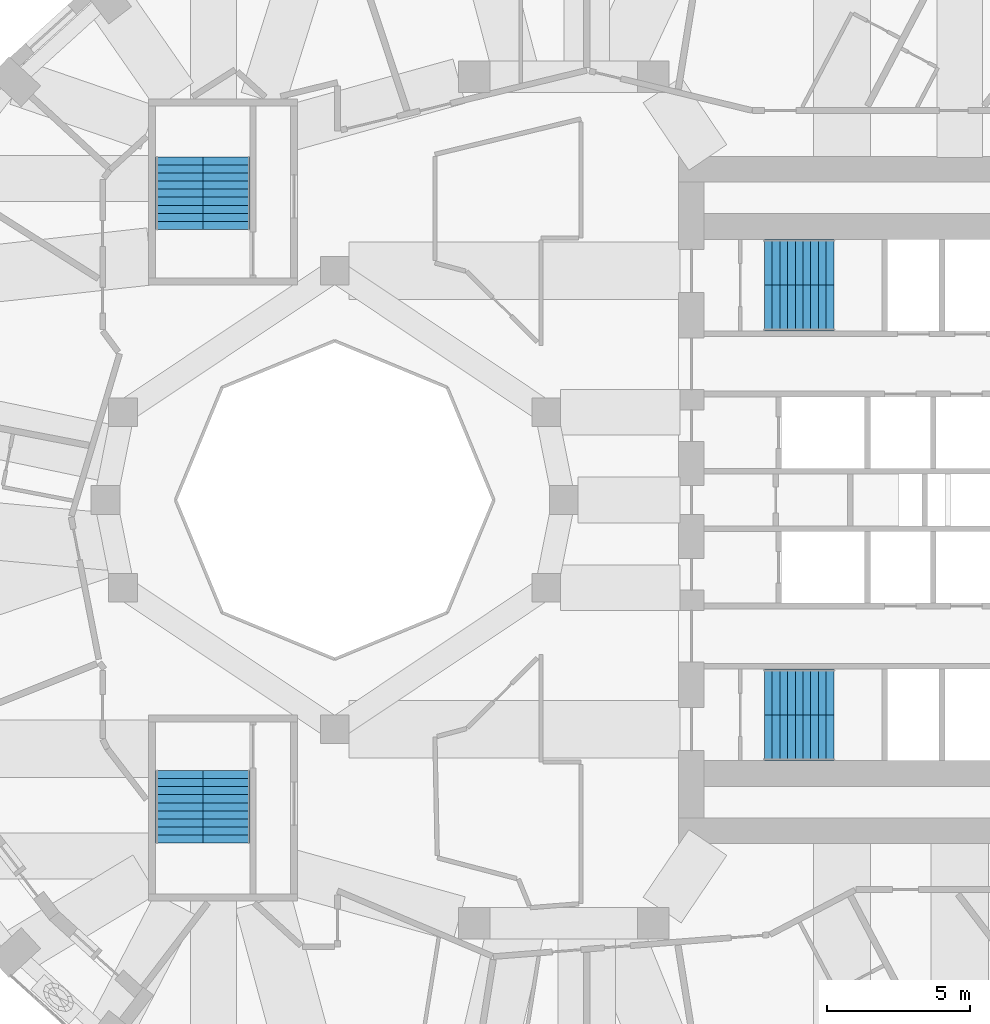
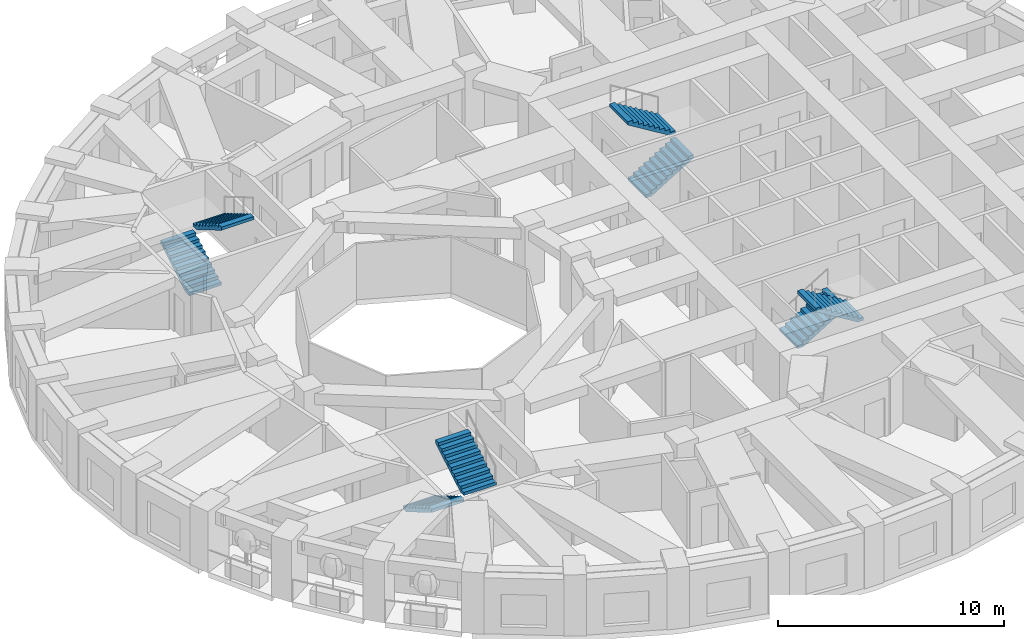
# One storey, part 9 of 12: 8 stair flights, 4 elements without a shape of their own.
"""IFC4 building model written with IfcOpenShell, lengths in metres."""

import ifcopenshell
import ifcopenshell.guid

model = None  # the IFC model being written
_history = None  # IfcOwnerHistory: only IFC2X3 demands one
_inside = {}  # id of a spatial element -> (the spatial element, [elements in it])
_under = {}  # id of a project, library or spatial element -> (it, [spatial elements below it])
_declared = {}  # id of a project -> (the project, [libraries it declares])
_typed = {}  # id of a type object -> (the type object, [elements of that type])
_made_of = {}  # id of a material, layer set ... -> (it, [elements and type objects made of it])


def new_model(schema):
    """Start an empty IFC model of exactly this schema.

    Asked for "IFC4X3", IfcOpenShell would pick the latest addendum, in which some entities
    have other attributes; the version numbers below select the first issue.
    IFC2X3 requires an IfcOwnerHistory on every rooted entity: one is made here for all.
    """
    global model, _history
    if schema == "IFC4X3":
        model = ifcopenshell.file(schema_version=(4, 3, 0, 0))
    else:
        model = ifcopenshell.file(schema=schema)
    _inside.clear()
    _under.clear()
    _declared.clear()
    _typed.clear()
    _made_of.clear()
    _history = None
    if model.schema == "IFC2X3":
        org = make("IfcOrganization", Name="unknown")
        user = make(
            "IfcPersonAndOrganization",
            ThePerson=make("IfcPerson", FamilyName="unknown"),
            TheOrganization=org,
        )
        app = make(
            "IfcApplication",
            ApplicationDeveloper=org,
            Version="unknown",
            ApplicationFullName="unknown",
            ApplicationIdentifier="unknown",
        )
        _history = make(
            "IfcOwnerHistory",
            OwningUser=user,
            OwningApplication=app,
            ChangeAction="ADDED",
            CreationDate=0,
        )
    return model


def make(cls, **values):
    """One entity of the class cls with the attributes given. An attribute that is None is left unset."""
    return model.create_entity(
        cls, **{name: value for name, value in values.items() if value is not None}
    )


def rooted(cls, **values):
    """An entity with a GlobalId (a new one), such as an element, a storey or a relation."""
    return make(cls, GlobalId=ifcopenshell.guid.new(), OwnerHistory=_history, **values)


def si_unit(unit_type, name, prefix=None):
    """IfcSIUnit, for example si_unit("LENGTHUNIT", "METRE", prefix="MILLI")."""
    return make("IfcSIUnit", UnitType=unit_type, Prefix=prefix, Name=name)


def assignment(units):
    """IfcUnitAssignment: the units of a project."""
    return None if units is None else make("IfcUnitAssignment", Units=units)


def point(xyz):
    """IfcCartesianPoint."""
    return None if xyz is None else make("IfcCartesianPoint", Coordinates=xyz)


def direction(xyz):
    """IfcDirection."""
    return None if xyz is None else make("IfcDirection", DirectionRatios=xyz)


def frame(location, z_axis=None, x_axis=None):
    """IfcAxis2Placement3D, a coordinate frame: its origin and axes. An axis left out is left unset."""
    return make(
        "IfcAxis2Placement3D",
        Location=point(location),
        Axis=direction(z_axis),
        RefDirection=direction(x_axis),
    )


def origin():
    """The frame at (0, 0, 0) with its axes left unset."""
    return frame((0.0, 0.0, 0.0))


def place(relative_to, where):
    """IfcLocalPlacement: puts the frame where relative to a parent placement (None: the world)."""
    return make(
        "IfcLocalPlacement", PlacementRelTo=relative_to, RelativePlacement=where
    )


def context(
    kind, dimensions, precision=None, world=None, true_north=None, identifier=None
):
    """IfcGeometricRepresentationContext, for example the 3D "Model" context."""
    return make(
        "IfcGeometricRepresentationContext",
        ContextIdentifier=identifier,
        ContextType=kind,
        CoordinateSpaceDimension=dimensions,
        Precision=precision,
        WorldCoordinateSystem=world,
        TrueNorth=true_north,
    )


def subcontext(parent, identifier, kind, view, scale=None):
    """IfcGeometricRepresentationSubContext, for example "Body" below "Model"."""
    return make(
        "IfcGeometricRepresentationSubContext",
        ContextIdentifier=identifier,
        ContextType=kind,
        ParentContext=parent,
        TargetScale=scale,
        TargetView=view,
    )


def project(units=None, contexts=None):
    """IfcProject with its units and contexts."""
    return rooted(
        "IfcProject",
        Name="project",
        RepresentationContexts=contexts,
        UnitsInContext=assignment(units),
    )


def spatial(cls, under=None, at=None, **own):
    """A site, building, storey or space (cls), placed at a placement, below another one or the project."""
    s = rooted(cls, ObjectPlacement=at, **own)
    if under is not None:
        _under.setdefault(under.id(), (under, []))[1].append(s)
    return s


def polyline(points):
    """IfcPolyline through the points."""
    return make("IfcPolyline", Points=[point(p) for p in points])


def outline(outer, holes=None, kind="AREA"):
    """IfcArbitraryClosedProfileDef: a profile drawn as a closed curve; with holes, ...WithVoids."""
    if holes is None:
        return make("IfcArbitraryClosedProfileDef", ProfileType=kind, OuterCurve=outer)
    return make(
        "IfcArbitraryProfileDefWithVoids",
        ProfileType=kind,
        OuterCurve=outer,
        InnerCurves=holes,
    )


def extrude(swept, where, along, depth):
    """IfcExtrudedAreaSolid: the profile swept, set in the frame where, extruded along a direction by depth."""
    return make(
        "IfcExtrudedAreaSolid",
        SweptArea=swept,
        Position=where,
        ExtrudedDirection=direction(along),
        Depth=depth,
    )


def shape(context_of_items, identifier, shape_type, items):
    """IfcShapeRepresentation: the items that make up one representation, for example the "Body"."""
    return make(
        "IfcShapeRepresentation",
        ContextOfItems=context_of_items,
        RepresentationIdentifier=identifier,
        RepresentationType=shape_type,
        Items=items,
    )


def material(Name=None, Category=None):
    """IfcMaterial."""
    return make("IfcMaterial", Name=Name, Category=Category)


def made_of(thing, what):
    """Note that an element or type object is made of a material, layer set ...; save() writes the relation."""
    if what is not None:
        _made_of.setdefault(what.id(), (what, []))[1].append(thing)
    return thing


def type_object(cls, material=None, **own):
    """A type object (cls), such as IfcWallType, which elements share."""
    return made_of(rooted(cls, **own), material)


def element(
    cls,
    number,
    at=None,
    inside=None,
    cuts=None,
    type_object=None,
    material=None,
    context=None,
    identifier="Body",
    shape_type=None,
    held_by="IfcProductDefinitionShape",
    body=None,
    shapes=None,
    **own,
):
    """One element of the class cls, such as IfcWall. Its Tag is "e" and its number.

    at: its placement. inside: the storey or other place that contains it. cuts: it is an
    opening in that element (IfcRelVoidsElement). A single representation is given by context,
    identifier, shape_type and body (its items); several are given by shapes. held_by: the class
    of the entity that holds the representations. save() writes the other relations.
    """
    e = rooted(cls, Tag="e%d" % number, ObjectPlacement=at, **own)
    if body is not None:
        shapes = [shape(context, identifier, shape_type, body)]
    if shapes is not None:
        e.Representation = make(held_by, Representations=shapes)
    if inside is not None:
        _inside.setdefault(inside.id(), (inside, []))[1].append(e)
    if cuts is not None:
        rooted(
            "IfcRelVoidsElement", RelatingBuildingElement=cuts, RelatedOpeningElement=e
        )
    if type_object is not None:
        _typed.setdefault(type_object.id(), (type_object, []))[1].append(e)
    return made_of(e, material)


def aggregate(whole, parts):
    """IfcRelAggregates: a whole, such as a stair, and the parts it consists of."""
    return rooted("IfcRelAggregates", RelatingObject=whole, RelatedObjects=parts)


def save(model, path):
    """Write the relations noted so far, then the file.

    IfcRelAggregates (storeys below a building ...), IfcRelContainedInSpatialStructure (elements
    in a storey), IfcRelDefinesByType, IfcRelAssociatesMaterial and IfcRelDeclares: one each for
    every whole, place, type object, material and project.
    """
    for whole, parts in _under.values():
        aggregate(whole, parts)
    for where, things in _inside.values():
        rooted(
            "IfcRelContainedInSpatialStructure",
            RelatedElements=things,
            RelatingStructure=where,
        )
    for kind, things in _typed.values():
        rooted("IfcRelDefinesByType", RelatedObjects=things, RelatingType=kind)
    for what, things in _made_of.values():
        rooted("IfcRelAssociatesMaterial", RelatedObjects=things, RelatingMaterial=what)
    for by, libraries in _declared.values():
        rooted("IfcRelDeclares", RelatingContext=by, RelatedDefinitions=libraries)
    model.write(path)


model = new_model("IFC4")

# Units and contexts
model_context = context("Model", 3, precision=1e-05, world=origin(), true_north=direction((0.0, 1.0)))
body_context = subcontext(model_context, "Body", "Model", "MODEL_VIEW")
ifc_project = project(units=[si_unit("LENGTHUNIT", "METRE"), si_unit("AREAUNIT", "SQUARE_METRE"), si_unit("VOLUMEUNIT", "CUBIC_METRE"), si_unit("PLANEANGLEUNIT", "RADIAN"), si_unit("MASSUNIT", "GRAM", prefix="KILO")], contexts=[model_context])

# Site, building, storey
site_placement = place(None, origin())
site = spatial("IfcSite", under=ifc_project, at=site_placement, CompositionType="ELEMENT")
building_placement = place(site_placement, origin())
building = spatial("IfcBuilding", under=site, at=building_placement, Name="Taillehof Tower", CompositionType="ELEMENT")
storey_placement = place(building_placement, frame((0.0, 0.0, 88.89990234375)))
storey = spatial("IfcBuildingStorey", under=building, at=storey_placement, Name="L24", CompositionType="ELEMENT", Elevation=88.89990234375)

# Stair, stair flights
ifc_material_1 = material(Name="Concrete C40/50", Category="concrete")
stair_type = type_object("IfcStairType", Name="Exit stair half-turn", PredefinedType="HALF_TURN_STAIR", material=ifc_material_1)
stair_1_placement = place(storey_placement, origin())
stair_1 = element("IfcStair", 1, at=stair_1_placement, inside=storey, type_object=stair_type, Name="Exit stair S1", PredefinedType="HALF_TURN_STAIR")
ifc_material_2 = material(Name="Concrete C40/50", Category="concrete")
stair_flight_type_1 = type_object("IfcStairFlightType", Name="Stair flight 1600 riser 165.0 going 270", PredefinedType="STRAIGHT", material=ifc_material_2)
stair_flight_1_placement = place(storey_placement, frame((7.0, 6.699951171875, 0.0), z_axis=(0.0, 0.0, 1.0), x_axis=(1.0, 0.0, 0.0)))
stair_flight_1 = element("IfcStairFlight", 2, at=stair_flight_1_placement, type_object=stair_flight_type_1, Name="S1 flight 1", NumberOfRisers=10, NumberOfTreads=9, PredefinedType="STRAIGHT", RiserHeight=0.165, TreadLength=0.27, context=body_context, shape_type="SweptSolid", body=[
    extrude(outline(polyline([(0.0, 0.0), (0.0, 0.00537109375), (0.0, 0.0107421875), (0.0, 0.015869140625), (0.0, 0.021240234375), (0.0, 0.026611328125), (0.0, 0.031982421875), (0.0, 0.037353515625), (0.0, 0.04248046875), (0.0, 0.0478515625), (0.0, 0.05322265625), (0.0, 0.05859375), (0.0, 0.06396484375), (0.0, 0.069091796875), (0.0, 0.074462890625), (0.0, 0.079833984375), (0.0, 0.085205078125), (0.0, 0.090576171875), (0.0, 0.095703125), (0.0, 0.10107421875), (0.0, 0.1064453125), (0.0, 0.11181640625), (0.0, 0.1171875), (0.0, 0.122314453125), (0.0, 0.127685546875), (0.0, 0.133056640625), (0.0, 0.138427734375), (0.0, 0.143798828125), (0.0, 0.14892578125), (0.0, 0.154296875), (0.0, 0.15966796875), (0.0, 0.1650390625), (0.27001953125, 0.1650390625), (0.27001953125, 0.330078125), (0.5400390625, 0.330078125), (0.5400390625, 0.4951171875), (0.81005859375, 0.4951171875), (0.81005859375, 0.659912109375), (1.080078125, 0.659912109375), (1.080078125, 0.824951171875), (1.35009765625, 0.824951171875), (1.35009765625, 0.989990234375), (1.6201171875, 0.989990234375), (1.6201171875, 1.155029296875), (1.889892578125, 1.155029296875), (1.889892578125, 1.320068359375), (2.159912109375, 1.320068359375), (2.159912109375, 1.485107421875), (2.429931640625, 1.485107421875), (2.429931640625, 1.479248046875), (2.429931640625, 1.4736328125), (2.429931640625, 1.468017578125), (2.429931640625, 1.46240234375), (2.429931640625, 1.45654296875), (2.429931640625, 1.450927734375), (2.429931640625, 1.4453125), (2.429931640625, 1.439697265625), (2.429931640625, 1.43408203125), (2.429931640625, 1.42822265625), (2.429931640625, 1.422607421875), (2.429931640625, 1.4169921875), (2.429931640625, 1.411376953125), (2.429931640625, 1.40576171875), (2.429931640625, 1.39990234375), (2.429931640625, 1.394287109375), (2.429931640625, 1.388671875), (2.429931640625, 1.383056640625), (2.429931640625, 1.37744140625), (2.429931640625, 1.37158203125), (2.429931640625, 1.365966796875), (2.429931640625, 1.3603515625), (2.429931640625, 1.354736328125), (2.429931640625, 1.348876953125), (2.429931640625, 1.34326171875), (2.429931640625, 1.337646484375), (2.429931640625, 1.33203125), (2.429931640625, 1.326416015625), (2.429931640625, 1.320556640625), (2.429931640625, 1.31494140625), (2.429931640625, 1.309326171875), (0.287353515625, 0.0), (0.0, 0.0)])), frame((0.0, 0.800048828125, 0.0), z_axis=(0.0, -1.0, 0.0), x_axis=(1.0, 0.0, 0.0)), (0.0, 0.0, 1.0), 1.6),
])
stair_flight_2_placement = place(storey_placement, frame((9.429931640625, 8.300048828125, 1.650146484375), z_axis=(0.0, 0.0, 1.0), x_axis=(-1.0, 0.0, 0.0)))
stair_flight_2 = element("IfcStairFlight", 3, at=stair_flight_2_placement, type_object=stair_flight_type_1, Name="S1 flight 2", NumberOfRisers=10, NumberOfTreads=9, PredefinedType="STRAIGHT", RiserHeight=0.165, TreadLength=0.27, context=body_context, shape_type="SweptSolid", body=[
    extrude(outline(polyline([(0.0, 0.0), (0.0, 0.00537109375), (0.0, 0.0107421875), (0.0, 0.015869140625), (0.0, 0.021240234375), (0.0, 0.026611328125), (0.0, 0.031982421875), (0.0, 0.037353515625), (0.0, 0.04248046875), (0.0, 0.0478515625), (0.0, 0.05322265625), (0.0, 0.05859375), (0.0, 0.06396484375), (0.0, 0.069091796875), (0.0, 0.074462890625), (0.0, 0.079833984375), (0.0, 0.085205078125), (0.0, 0.090576171875), (0.0, 0.095703125), (0.0, 0.10107421875), (0.0, 0.1064453125), (0.0, 0.11181640625), (0.0, 0.1171875), (0.0, 0.122314453125), (0.0, 0.127685546875), (0.0, 0.133056640625), (0.0, 0.138427734375), (0.0, 0.143798828125), (0.0, 0.14892578125), (0.0, 0.154296875), (0.0, 0.15966796875), (0.0, 0.1650390625), (0.27001953125, 0.1650390625), (0.27001953125, 0.330078125), (0.5400390625, 0.330078125), (0.5400390625, 0.4951171875), (0.81005859375, 0.4951171875), (0.81005859375, 0.659912109375), (1.080078125, 0.659912109375), (1.080078125, 0.824951171875), (1.35009765625, 0.824951171875), (1.35009765625, 0.989990234375), (1.6201171875, 0.989990234375), (1.6201171875, 1.155029296875), (1.889892578125, 1.155029296875), (1.889892578125, 1.320068359375), (2.159912109375, 1.320068359375), (2.159912109375, 1.485107421875), (2.429931640625, 1.485107421875), (2.429931640625, 1.479248046875), (2.429931640625, 1.4736328125), (2.429931640625, 1.468017578125), (2.429931640625, 1.46240234375), (2.429931640625, 1.45654296875), (2.429931640625, 1.450927734375), (2.429931640625, 1.4453125), (2.429931640625, 1.439697265625), (2.429931640625, 1.43408203125), (2.429931640625, 1.42822265625), (2.429931640625, 1.422607421875), (2.429931640625, 1.4169921875), (2.429931640625, 1.411376953125), (2.429931640625, 1.40576171875), (2.429931640625, 1.39990234375), (2.429931640625, 1.394287109375), (2.429931640625, 1.388671875), (2.429931640625, 1.383056640625), (2.429931640625, 1.37744140625), (2.429931640625, 1.37158203125), (2.429931640625, 1.365966796875), (2.429931640625, 1.3603515625), (2.429931640625, 1.354736328125), (2.429931640625, 1.348876953125), (2.429931640625, 1.34326171875), (2.429931640625, 1.337646484375), (2.429931640625, 1.33203125), (2.429931640625, 1.326416015625), (2.429931640625, 1.320556640625), (2.429931640625, 1.31494140625), (2.429931640625, 1.309326171875), (0.287353515625, 0.0), (0.0, 0.0)])), frame((0.0, 0.800048828125, 0.0), z_axis=(0.0, -1.0, 0.0), x_axis=(1.0, 0.0, 0.0)), (0.0, 0.0, 1.0), 1.6),
])
aggregate(stair_1, [stair_flight_1, stair_flight_2])

stair_2_placement = place(storey_placement, origin())
stair_2 = element("IfcStair", 4, at=stair_2_placement, inside=storey, type_object=stair_type, Name="Exit stair S2", PredefinedType="HALF_TURN_STAIR")
stair_flight_3_placement = place(storey_placement, frame((7.0, -6.699951171875, 0.0), z_axis=(0.0, 0.0, 1.0), x_axis=(1.0, 0.0, 0.0)))
stair_flight_3 = element("IfcStairFlight", 5, at=stair_flight_3_placement, type_object=stair_flight_type_1, Name="S2 flight 1", NumberOfRisers=10, NumberOfTreads=9, PredefinedType="STRAIGHT", RiserHeight=0.165, TreadLength=0.27, context=body_context, shape_type="SweptSolid", body=[
    extrude(outline(polyline([(0.0, 0.0), (0.0, 0.00537109375), (0.0, 0.0107421875), (0.0, 0.015869140625), (0.0, 0.021240234375), (0.0, 0.026611328125), (0.0, 0.031982421875), (0.0, 0.037353515625), (0.0, 0.04248046875), (0.0, 0.0478515625), (0.0, 0.05322265625), (0.0, 0.05859375), (0.0, 0.06396484375), (0.0, 0.069091796875), (0.0, 0.074462890625), (0.0, 0.079833984375), (0.0, 0.085205078125), (0.0, 0.090576171875), (0.0, 0.095703125), (0.0, 0.10107421875), (0.0, 0.1064453125), (0.0, 0.11181640625), (0.0, 0.1171875), (0.0, 0.122314453125), (0.0, 0.127685546875), (0.0, 0.133056640625), (0.0, 0.138427734375), (0.0, 0.143798828125), (0.0, 0.14892578125), (0.0, 0.154296875), (0.0, 0.15966796875), (0.0, 0.1650390625), (0.27001953125, 0.1650390625), (0.27001953125, 0.330078125), (0.5400390625, 0.330078125), (0.5400390625, 0.4951171875), (0.81005859375, 0.4951171875), (0.81005859375, 0.659912109375), (1.080078125, 0.659912109375), (1.080078125, 0.824951171875), (1.35009765625, 0.824951171875), (1.35009765625, 0.989990234375), (1.6201171875, 0.989990234375), (1.6201171875, 1.155029296875), (1.889892578125, 1.155029296875), (1.889892578125, 1.320068359375), (2.159912109375, 1.320068359375), (2.159912109375, 1.485107421875), (2.429931640625, 1.485107421875), (2.429931640625, 1.479248046875), (2.429931640625, 1.4736328125), (2.429931640625, 1.468017578125), (2.429931640625, 1.46240234375), (2.429931640625, 1.45654296875), (2.429931640625, 1.450927734375), (2.429931640625, 1.4453125), (2.429931640625, 1.439697265625), (2.429931640625, 1.43408203125), (2.429931640625, 1.42822265625), (2.429931640625, 1.422607421875), (2.429931640625, 1.4169921875), (2.429931640625, 1.411376953125), (2.429931640625, 1.40576171875), (2.429931640625, 1.39990234375), (2.429931640625, 1.394287109375), (2.429931640625, 1.388671875), (2.429931640625, 1.383056640625), (2.429931640625, 1.37744140625), (2.429931640625, 1.37158203125), (2.429931640625, 1.365966796875), (2.429931640625, 1.3603515625), (2.429931640625, 1.354736328125), (2.429931640625, 1.348876953125), (2.429931640625, 1.34326171875), (2.429931640625, 1.337646484375), (2.429931640625, 1.33203125), (2.429931640625, 1.326416015625), (2.429931640625, 1.320556640625), (2.429931640625, 1.31494140625), (2.429931640625, 1.309326171875), (0.287353515625, 0.0), (0.0, 0.0)])), frame((0.0, 0.800048828125, 0.0), z_axis=(0.0, -1.0, 0.0), x_axis=(1.0, 0.0, 0.0)), (0.0, 0.0, 1.0), 1.6),
])
stair_flight_4_placement = place(storey_placement, frame((9.429931640625, -8.300048828125, 1.650146484375), z_axis=(0.0, 0.0, 1.0), x_axis=(-1.0, 0.0, 0.0)))
stair_flight_4 = element("IfcStairFlight", 6, at=stair_flight_4_placement, type_object=stair_flight_type_1, Name="S2 flight 2", NumberOfRisers=10, NumberOfTreads=9, PredefinedType="STRAIGHT", RiserHeight=0.165, TreadLength=0.27, context=body_context, shape_type="SweptSolid", body=[
    extrude(outline(polyline([(0.0, 0.0), (0.0, 0.00537109375), (0.0, 0.0107421875), (0.0, 0.015869140625), (0.0, 0.021240234375), (0.0, 0.026611328125), (0.0, 0.031982421875), (0.0, 0.037353515625), (0.0, 0.04248046875), (0.0, 0.0478515625), (0.0, 0.05322265625), (0.0, 0.05859375), (0.0, 0.06396484375), (0.0, 0.069091796875), (0.0, 0.074462890625), (0.0, 0.079833984375), (0.0, 0.085205078125), (0.0, 0.090576171875), (0.0, 0.095703125), (0.0, 0.10107421875), (0.0, 0.1064453125), (0.0, 0.11181640625), (0.0, 0.1171875), (0.0, 0.122314453125), (0.0, 0.127685546875), (0.0, 0.133056640625), (0.0, 0.138427734375), (0.0, 0.143798828125), (0.0, 0.14892578125), (0.0, 0.154296875), (0.0, 0.15966796875), (0.0, 0.1650390625), (0.27001953125, 0.1650390625), (0.27001953125, 0.330078125), (0.5400390625, 0.330078125), (0.5400390625, 0.4951171875), (0.81005859375, 0.4951171875), (0.81005859375, 0.659912109375), (1.080078125, 0.659912109375), (1.080078125, 0.824951171875), (1.35009765625, 0.824951171875), (1.35009765625, 0.989990234375), (1.6201171875, 0.989990234375), (1.6201171875, 1.155029296875), (1.889892578125, 1.155029296875), (1.889892578125, 1.320068359375), (2.159912109375, 1.320068359375), (2.159912109375, 1.485107421875), (2.429931640625, 1.485107421875), (2.429931640625, 1.479248046875), (2.429931640625, 1.4736328125), (2.429931640625, 1.468017578125), (2.429931640625, 1.46240234375), (2.429931640625, 1.45654296875), (2.429931640625, 1.450927734375), (2.429931640625, 1.4453125), (2.429931640625, 1.439697265625), (2.429931640625, 1.43408203125), (2.429931640625, 1.42822265625), (2.429931640625, 1.422607421875), (2.429931640625, 1.4169921875), (2.429931640625, 1.411376953125), (2.429931640625, 1.40576171875), (2.429931640625, 1.39990234375), (2.429931640625, 1.394287109375), (2.429931640625, 1.388671875), (2.429931640625, 1.383056640625), (2.429931640625, 1.37744140625), (2.429931640625, 1.37158203125), (2.429931640625, 1.365966796875), (2.429931640625, 1.3603515625), (2.429931640625, 1.354736328125), (2.429931640625, 1.348876953125), (2.429931640625, 1.34326171875), (2.429931640625, 1.337646484375), (2.429931640625, 1.33203125), (2.429931640625, 1.326416015625), (2.429931640625, 1.320556640625), (2.429931640625, 1.31494140625), (2.429931640625, 1.309326171875), (0.287353515625, 0.0), (0.0, 0.0)])), frame((0.0, 0.800048828125, 0.0), z_axis=(0.0, -1.0, 0.0), x_axis=(1.0, 0.0, 0.0)), (0.0, 0.0, 1.0), 1.6),
])
aggregate(stair_2, [stair_flight_3, stair_flight_4])

stair_3_placement = place(storey_placement, origin())
stair_3 = element("IfcStair", 7, at=stair_3_placement, inside=storey, type_object=stair_type, Name="Exit stair S3", PredefinedType="HALF_TURN_STAIR")
ifc_material_3 = material(Name="Concrete C40/50", Category="concrete")
stair_flight_type_2 = type_object("IfcStairFlightType", Name="Stair flight 1650 riser 165.0 going 280", PredefinedType="STRAIGHT", material=ifc_material_3)
stair_flight_5_placement = place(storey_placement, frame((-13.425048828125, 9.449951171875, 0.0), z_axis=(0.0, 0.0, 1.0), x_axis=(0.0, 1.0, 0.0)))
stair_flight_5 = element("IfcStairFlight", 8, at=stair_flight_5_placement, type_object=stair_flight_type_2, Name="S3 flight 1", NumberOfRisers=10, NumberOfTreads=9, PredefinedType="STRAIGHT", RiserHeight=0.165, TreadLength=0.28, context=body_context, shape_type="SweptSolid", body=[
    extrude(outline(polyline([(0.0, 0.0), (0.0, 0.00537109375), (0.0, 0.0107421875), (0.0, 0.015869140625), (0.0, 0.021240234375), (0.0, 0.026611328125), (0.0, 0.031982421875), (0.0, 0.037353515625), (0.0, 0.04248046875), (0.0, 0.0478515625), (0.0, 0.05322265625), (0.0, 0.05859375), (0.0, 0.06396484375), (0.0, 0.069091796875), (0.0, 0.074462890625), (0.0, 0.079833984375), (0.0, 0.085205078125), (0.0, 0.090576171875), (0.0, 0.095703125), (0.0, 0.10107421875), (0.0, 0.1064453125), (0.0, 0.11181640625), (0.0, 0.1171875), (0.0, 0.122314453125), (0.0, 0.127685546875), (0.0, 0.133056640625), (0.0, 0.138427734375), (0.0, 0.143798828125), (0.0, 0.14892578125), (0.0, 0.154296875), (0.0, 0.15966796875), (0.0, 0.1650390625), (0.280029296875, 0.1650390625), (0.280029296875, 0.330078125), (0.56005859375, 0.330078125), (0.56005859375, 0.4951171875), (0.840087890625, 0.4951171875), (0.840087890625, 0.659912109375), (1.1201171875, 0.659912109375), (1.1201171875, 0.824951171875), (1.39990234375, 0.824951171875), (1.39990234375, 0.989990234375), (1.679931640625, 0.989990234375), (1.679931640625, 1.155029296875), (1.9599609375, 1.155029296875), (1.9599609375, 1.320068359375), (2.239990234375, 1.320068359375), (2.239990234375, 1.485107421875), (2.52001953125, 1.485107421875), (2.52001953125, 1.4794921875), (2.52001953125, 1.473876953125), (2.52001953125, 1.46826171875), (2.52001953125, 1.462646484375), (2.52001953125, 1.45703125), (2.52001953125, 1.451416015625), (2.52001953125, 1.44580078125), (2.52001953125, 1.440185546875), (2.52001953125, 1.4345703125), (2.52001953125, 1.428955078125), (2.52001953125, 1.42333984375), (2.52001953125, 1.417724609375), (2.52001953125, 1.412109375), (2.52001953125, 1.406494140625), (2.52001953125, 1.40087890625), (2.52001953125, 1.395263671875), (2.52001953125, 1.3896484375), (2.52001953125, 1.384033203125), (2.52001953125, 1.37841796875), (2.52001953125, 1.372802734375), (2.52001953125, 1.3671875), (2.52001953125, 1.361572265625), (2.52001953125, 1.35595703125), (2.52001953125, 1.350341796875), (2.52001953125, 1.3447265625), (2.52001953125, 1.339111328125), (2.52001953125, 1.33349609375), (2.52001953125, 1.327880859375), (2.52001953125, 1.322265625), (2.52001953125, 1.316650390625), (2.52001953125, 1.31103515625), (0.295166015625, 0.0), (0.0, 0.0)])), frame((0.0, 0.824951171875, 0.0), z_axis=(0.0, -1.0, 0.0), x_axis=(1.0, 0.0, 0.0)), (0.0, 0.0, 1.0), 1.65),
])
stair_flight_6_placement = place(storey_placement, frame((-11.77490234375, 11.969970703125, 1.650146484375), z_axis=(0.0, 0.0, 1.0), x_axis=(0.0, -1.0, 0.0)))
stair_flight_6 = element("IfcStairFlight", 9, at=stair_flight_6_placement, type_object=stair_flight_type_2, Name="S3 flight 2", NumberOfRisers=10, NumberOfTreads=9, PredefinedType="STRAIGHT", RiserHeight=0.165, TreadLength=0.28, context=body_context, shape_type="SweptSolid", body=[
    extrude(outline(polyline([(0.0, 0.0), (0.0, 0.00537109375), (0.0, 0.0107421875), (0.0, 0.015869140625), (0.0, 0.021240234375), (0.0, 0.026611328125), (0.0, 0.031982421875), (0.0, 0.037353515625), (0.0, 0.04248046875), (0.0, 0.0478515625), (0.0, 0.05322265625), (0.0, 0.05859375), (0.0, 0.06396484375), (0.0, 0.069091796875), (0.0, 0.074462890625), (0.0, 0.079833984375), (0.0, 0.085205078125), (0.0, 0.090576171875), (0.0, 0.095703125), (0.0, 0.10107421875), (0.0, 0.1064453125), (0.0, 0.11181640625), (0.0, 0.1171875), (0.0, 0.122314453125), (0.0, 0.127685546875), (0.0, 0.133056640625), (0.0, 0.138427734375), (0.0, 0.143798828125), (0.0, 0.14892578125), (0.0, 0.154296875), (0.0, 0.15966796875), (0.0, 0.1650390625), (0.280029296875, 0.1650390625), (0.280029296875, 0.330078125), (0.56005859375, 0.330078125), (0.56005859375, 0.4951171875), (0.840087890625, 0.4951171875), (0.840087890625, 0.659912109375), (1.1201171875, 0.659912109375), (1.1201171875, 0.824951171875), (1.39990234375, 0.824951171875), (1.39990234375, 0.989990234375), (1.679931640625, 0.989990234375), (1.679931640625, 1.155029296875), (1.9599609375, 1.155029296875), (1.9599609375, 1.320068359375), (2.239990234375, 1.320068359375), (2.239990234375, 1.485107421875), (2.52001953125, 1.485107421875), (2.52001953125, 1.4794921875), (2.52001953125, 1.473876953125), (2.52001953125, 1.46826171875), (2.52001953125, 1.462646484375), (2.52001953125, 1.45703125), (2.52001953125, 1.451416015625), (2.52001953125, 1.44580078125), (2.52001953125, 1.440185546875), (2.52001953125, 1.4345703125), (2.52001953125, 1.428955078125), (2.52001953125, 1.42333984375), (2.52001953125, 1.417724609375), (2.52001953125, 1.412109375), (2.52001953125, 1.406494140625), (2.52001953125, 1.40087890625), (2.52001953125, 1.395263671875), (2.52001953125, 1.3896484375), (2.52001953125, 1.384033203125), (2.52001953125, 1.37841796875), (2.52001953125, 1.372802734375), (2.52001953125, 1.3671875), (2.52001953125, 1.361572265625), (2.52001953125, 1.35595703125), (2.52001953125, 1.350341796875), (2.52001953125, 1.3447265625), (2.52001953125, 1.339111328125), (2.52001953125, 1.33349609375), (2.52001953125, 1.327880859375), (2.52001953125, 1.322265625), (2.52001953125, 1.316650390625), (2.52001953125, 1.31103515625), (0.295166015625, 0.0), (0.0, 0.0)])), frame((0.0, 0.824951171875, 0.0), z_axis=(0.0, -1.0, 0.0), x_axis=(1.0, 0.0, 0.0)), (0.0, 0.0, 1.0), 1.65),
])
aggregate(stair_3, [stair_flight_5, stair_flight_6])

stair_4_placement = place(storey_placement, origin())
stair_4 = element("IfcStair", 10, at=stair_4_placement, inside=storey, type_object=stair_type, Name="Exit stair S4", PredefinedType="HALF_TURN_STAIR")
stair_flight_7_placement = place(storey_placement, frame((-13.425048828125, -9.449951171875, 0.0), z_axis=(0.0, 0.0, 1.0), x_axis=(0.0, -1.0, 0.0)))
stair_flight_7 = element("IfcStairFlight", 11, at=stair_flight_7_placement, type_object=stair_flight_type_2, Name="S4 flight 1", NumberOfRisers=10, NumberOfTreads=9, PredefinedType="STRAIGHT", RiserHeight=0.165, TreadLength=0.28, context=body_context, shape_type="SweptSolid", body=[
    extrude(outline(polyline([(0.0, 0.0), (0.0, 0.00537109375), (0.0, 0.0107421875), (0.0, 0.015869140625), (0.0, 0.021240234375), (0.0, 0.026611328125), (0.0, 0.031982421875), (0.0, 0.037353515625), (0.0, 0.04248046875), (0.0, 0.0478515625), (0.0, 0.05322265625), (0.0, 0.05859375), (0.0, 0.06396484375), (0.0, 0.069091796875), (0.0, 0.074462890625), (0.0, 0.079833984375), (0.0, 0.085205078125), (0.0, 0.090576171875), (0.0, 0.095703125), (0.0, 0.10107421875), (0.0, 0.1064453125), (0.0, 0.11181640625), (0.0, 0.1171875), (0.0, 0.122314453125), (0.0, 0.127685546875), (0.0, 0.133056640625), (0.0, 0.138427734375), (0.0, 0.143798828125), (0.0, 0.14892578125), (0.0, 0.154296875), (0.0, 0.15966796875), (0.0, 0.1650390625), (0.280029296875, 0.1650390625), (0.280029296875, 0.330078125), (0.56005859375, 0.330078125), (0.56005859375, 0.4951171875), (0.840087890625, 0.4951171875), (0.840087890625, 0.659912109375), (1.1201171875, 0.659912109375), (1.1201171875, 0.824951171875), (1.39990234375, 0.824951171875), (1.39990234375, 0.989990234375), (1.679931640625, 0.989990234375), (1.679931640625, 1.155029296875), (1.9599609375, 1.155029296875), (1.9599609375, 1.320068359375), (2.239990234375, 1.320068359375), (2.239990234375, 1.485107421875), (2.52001953125, 1.485107421875), (2.52001953125, 1.4794921875), (2.52001953125, 1.473876953125), (2.52001953125, 1.46826171875), (2.52001953125, 1.462646484375), (2.52001953125, 1.45703125), (2.52001953125, 1.451416015625), (2.52001953125, 1.44580078125), (2.52001953125, 1.440185546875), (2.52001953125, 1.4345703125), (2.52001953125, 1.428955078125), (2.52001953125, 1.42333984375), (2.52001953125, 1.417724609375), (2.52001953125, 1.412109375), (2.52001953125, 1.406494140625), (2.52001953125, 1.40087890625), (2.52001953125, 1.395263671875), (2.52001953125, 1.3896484375), (2.52001953125, 1.384033203125), (2.52001953125, 1.37841796875), (2.52001953125, 1.372802734375), (2.52001953125, 1.3671875), (2.52001953125, 1.361572265625), (2.52001953125, 1.35595703125), (2.52001953125, 1.350341796875), (2.52001953125, 1.3447265625), (2.52001953125, 1.339111328125), (2.52001953125, 1.33349609375), (2.52001953125, 1.327880859375), (2.52001953125, 1.322265625), (2.52001953125, 1.316650390625), (2.52001953125, 1.31103515625), (0.295166015625, 0.0), (0.0, 0.0)])), frame((0.0, 0.824951171875, 0.0), z_axis=(0.0, -1.0, 0.0), x_axis=(1.0, 0.0, 0.0)), (0.0, 0.0, 1.0), 1.65),
])
stair_flight_8_placement = place(storey_placement, frame((-11.77490234375, -11.969970703125, 1.650146484375), z_axis=(0.0, 0.0, 1.0), x_axis=(0.0, 1.0, 0.0)))
stair_flight_8 = element("IfcStairFlight", 12, at=stair_flight_8_placement, type_object=stair_flight_type_2, Name="S4 flight 2", NumberOfRisers=10, NumberOfTreads=9, PredefinedType="STRAIGHT", RiserHeight=0.165, TreadLength=0.28, context=body_context, shape_type="SweptSolid", body=[
    extrude(outline(polyline([(0.0, 0.0), (0.0, 0.00537109375), (0.0, 0.0107421875), (0.0, 0.015869140625), (0.0, 0.021240234375), (0.0, 0.026611328125), (0.0, 0.031982421875), (0.0, 0.037353515625), (0.0, 0.04248046875), (0.0, 0.0478515625), (0.0, 0.05322265625), (0.0, 0.05859375), (0.0, 0.06396484375), (0.0, 0.069091796875), (0.0, 0.074462890625), (0.0, 0.079833984375), (0.0, 0.085205078125), (0.0, 0.090576171875), (0.0, 0.095703125), (0.0, 0.10107421875), (0.0, 0.1064453125), (0.0, 0.11181640625), (0.0, 0.1171875), (0.0, 0.122314453125), (0.0, 0.127685546875), (0.0, 0.133056640625), (0.0, 0.138427734375), (0.0, 0.143798828125), (0.0, 0.14892578125), (0.0, 0.154296875), (0.0, 0.15966796875), (0.0, 0.1650390625), (0.280029296875, 0.1650390625), (0.280029296875, 0.330078125), (0.56005859375, 0.330078125), (0.56005859375, 0.4951171875), (0.840087890625, 0.4951171875), (0.840087890625, 0.659912109375), (1.1201171875, 0.659912109375), (1.1201171875, 0.824951171875), (1.39990234375, 0.824951171875), (1.39990234375, 0.989990234375), (1.679931640625, 0.989990234375), (1.679931640625, 1.155029296875), (1.9599609375, 1.155029296875), (1.9599609375, 1.320068359375), (2.239990234375, 1.320068359375), (2.239990234375, 1.485107421875), (2.52001953125, 1.485107421875), (2.52001953125, 1.4794921875), (2.52001953125, 1.473876953125), (2.52001953125, 1.46826171875), (2.52001953125, 1.462646484375), (2.52001953125, 1.45703125), (2.52001953125, 1.451416015625), (2.52001953125, 1.44580078125), (2.52001953125, 1.440185546875), (2.52001953125, 1.4345703125), (2.52001953125, 1.428955078125), (2.52001953125, 1.42333984375), (2.52001953125, 1.417724609375), (2.52001953125, 1.412109375), (2.52001953125, 1.406494140625), (2.52001953125, 1.40087890625), (2.52001953125, 1.395263671875), (2.52001953125, 1.3896484375), (2.52001953125, 1.384033203125), (2.52001953125, 1.37841796875), (2.52001953125, 1.372802734375), (2.52001953125, 1.3671875), (2.52001953125, 1.361572265625), (2.52001953125, 1.35595703125), (2.52001953125, 1.350341796875), (2.52001953125, 1.3447265625), (2.52001953125, 1.339111328125), (2.52001953125, 1.33349609375), (2.52001953125, 1.327880859375), (2.52001953125, 1.322265625), (2.52001953125, 1.316650390625), (2.52001953125, 1.31103515625), (0.295166015625, 0.0), (0.0, 0.0)])), frame((0.0, 0.824951171875, 0.0), z_axis=(0.0, -1.0, 0.0), x_axis=(1.0, 0.0, 0.0)), (0.0, 0.0, 1.0), 1.65),
])
aggregate(stair_4, [stair_flight_7, stair_flight_8])

save(model, "model.ifc")
